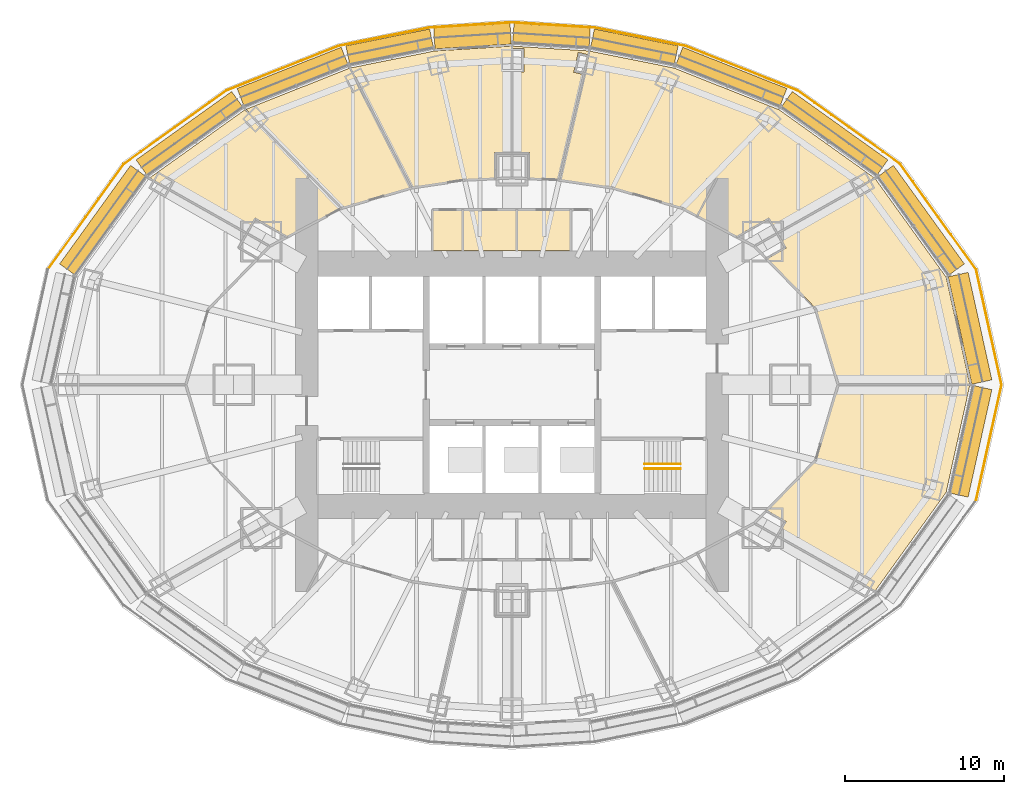
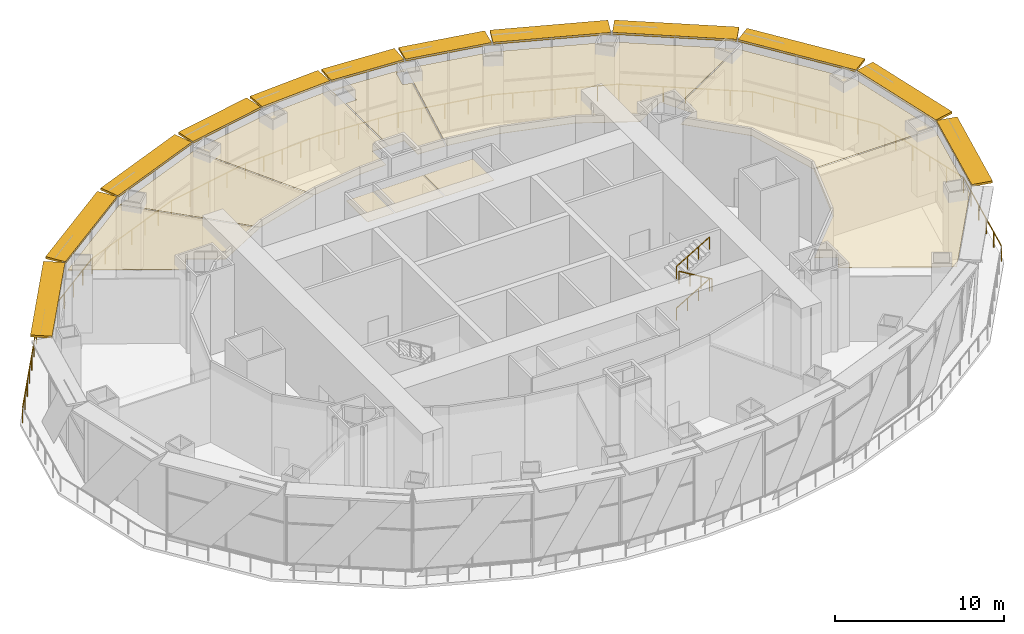
# One storey, part 20 of 21: 15 railings, 12 shading devices, 10 coverings.
"""IFC4 building model written with IfcOpenShell, lengths in metres."""

from ifc_helpers import new_model, si_unit, direction, frame, origin, origin_2d, place, context, subcontext, project, spatial, polyline, rectangle, circle, outline, extrude, material, layer, layer_set, type_object, element, save


model = new_model("IFC4")

# Units and contexts
model_context = context("Model", 3, precision=1e-05, world=origin(), true_north=direction((0.0, 1.0)))
body_context = subcontext(model_context, "Body", "Model", "MODEL_VIEW")
ifc_project = project(units=[si_unit("LENGTHUNIT", "METRE"), si_unit("AREAUNIT", "SQUARE_METRE"), si_unit("VOLUMEUNIT", "CUBIC_METRE"), si_unit("PLANEANGLEUNIT", "RADIAN"), si_unit("MASSUNIT", "GRAM", prefix="KILO")], contexts=[model_context])

# Site, building, storey
site_placement = place(None, origin())
site = spatial("IfcSite", under=ifc_project, at=site_placement, CompositionType="ELEMENT")
building_placement = place(site_placement, origin())
building = spatial("IfcBuilding", under=site, at=building_placement, Name="Lantaw Convention Tower", CompositionType="ELEMENT")
storey_placement = place(building_placement, frame((0.0, 0.0, 111.39990234375)))
storey = spatial("IfcBuildingStorey", under=building, at=storey_placement, Name="L26", CompositionType="ELEMENT", Elevation=111.39990234375)

# Railings
ifc_material_1 = material(Name="Stainless steel", Category="steel")
railing_type_1 = type_object("IfcRailingType", Name="Stair handrail", PredefinedType="HANDRAIL", material=ifc_material_1)
railing_1_placement = place(storey_placement, frame((8.340087890625, -4.97998046875, 1.666748046875)))
element("IfcRailing", 1, at=railing_1_placement, inside=storey, type_object=railing_type_1, Name="Stair handrail S2", PredefinedType="HANDRAIL", context=body_context, shape_type="SweptSolid", body=[
    extrude(circle(Radius=0.02392578125, at=origin_2d()), frame((0.0, 0.0, 0.8759765625), z_axis=(0.859305625298, 0.0, 0.511462454469), x_axis=(0.0, 1.0, 0.0)), (0.0, 0.0, 1.0), 2.606689453125),
    extrude(circle(Radius=0.02099609375, at=origin_2d()), origin(), (0.0, 0.0, 1.0), 0.851806640625),
    extrude(circle(Radius=0.02099609375, at=origin_2d()), frame((0.74658203125, 0.0, 0.4443359375)), (0.0, 0.0, 1.0), 0.851806640625),
    extrude(circle(Radius=0.02099609375, at=origin_2d()), frame((1.493408203125, 0.0, 0.888916015625)), (0.0, 0.0, 1.0), 0.851806640625),
    extrude(circle(Radius=0.02099609375, at=origin_2d()), frame((2.239990234375, 0.0, 1.333251953125)), (0.0, 0.0, 1.0), 0.851806640625),
])
railing_2_placement = place(storey_placement, frame((10.580078125, -5.280029296875, 3.166748046875)))
element("IfcRailing", 2, at=railing_2_placement, inside=storey, type_object=railing_type_1, Name="Stair handrail S2", PredefinedType="HANDRAIL", context=body_context, shape_type="SweptSolid", body=[
    extrude(circle(Radius=0.02392578125, at=origin_2d()), frame((0.0, 0.0, 0.8759765625), z_axis=(-0.859305625298, 0.0, 0.511462454469), x_axis=(0.0, -1.0, 0.0)), (0.0, 0.0, 1.0), 2.606689453125),
    extrude(circle(Radius=0.02099609375, at=origin_2d()), origin(), (0.0, 0.0, 1.0), 0.851806640625),
    extrude(circle(Radius=0.02099609375, at=origin_2d()), frame((-0.74658203125, 0.0, 0.4443359375)), (0.0, 0.0, 1.0), 0.851806640625),
    extrude(circle(Radius=0.02099609375, at=origin_2d()), frame((-1.493408203125, 0.0, 0.888916015625)), (0.0, 0.0, 1.0), 0.851806640625),
    extrude(circle(Radius=0.02099609375, at=origin_2d()), frame((-2.239990234375, 0.0, 1.333251953125)), (0.0, 0.0, 1.0), 0.851806640625),
])
railing_3_placement = place(storey_placement, frame((8.340087890625, -4.97998046875, 4.666748046875)))
element("IfcRailing", 3, at=railing_3_placement, inside=storey, type_object=railing_type_1, Name="Stair handrail S2", PredefinedType="HANDRAIL", context=body_context, shape_type="SweptSolid", body=[
    extrude(circle(Radius=0.02392578125, at=origin_2d()), frame((0.0, 0.0, 0.8759765625), z_axis=(0.859305625298, 0.0, 0.511462454469), x_axis=(0.0, 1.0, 0.0)), (0.0, 0.0, 1.0), 2.606689453125),
    extrude(circle(Radius=0.02099609375, at=origin_2d()), origin(), (0.0, 0.0, 1.0), 0.851806640625),
    extrude(circle(Radius=0.02099609375, at=origin_2d()), frame((0.74658203125, 0.0, 0.4443359375)), (0.0, 0.0, 1.0), 0.851806640625),
    extrude(circle(Radius=0.02099609375, at=origin_2d()), frame((1.493408203125, 0.0, 0.888916015625)), (0.0, 0.0, 1.0), 0.851806640625),
    extrude(circle(Radius=0.02099609375, at=origin_2d()), frame((2.239990234375, 0.0, 1.333251953125)), (0.0, 0.0, 1.0), 0.851806640625),
])

# Coverings
ifc_material_2 = material(Name="Gypsum board on steel suspension grid", Category="steel")
ifc_layer = layer(ifc_material_2, 0.02001953125)
ifc_layer_set = layer_set([ifc_layer], Name="Suspended ceiling")
covering_type = type_object("IfcCoveringType", Name="Suspended ceiling", PredefinedType="CEILING", material=ifc_layer_set)
covering_1_placement = place(storey_placement, frame((0.0, 0.0, 5.25)))
element("IfcCovering", 4, at=covering_1_placement, inside=storey, type_object=covering_type, Name="Accessible WC ceiling", PredefinedType="CEILING", context=body_context, shape_type="SweptSolid", body=[
    extrude(outline(polyline([(-4.9599609375, 8.43994140625), (-3.139892578125, 8.43994140625), (-3.139892578125, 10.967041015625), (-4.9599609375, 10.967041015625), (-4.9599609375, 8.43994140625)])), origin(), (0.0, 0.0, 1.0), 0.02001953125),
])
covering_2_placement = place(storey_placement, frame((0.0, 0.0, 5.25)))
element("IfcCovering", 5, at=covering_2_placement, inside=storey, type_object=covering_type, Name="Male WC ceiling", PredefinedType="CEILING", context=body_context, shape_type="SweptSolid", body=[
    extrude(outline(polyline([(-3.06005859375, 8.43994140625), (0.260009765625, 8.43994140625), (0.260009765625, 10.967041015625), (-3.06005859375, 10.967041015625), (-3.06005859375, 8.43994140625)])), origin(), (0.0, 0.0, 1.0), 0.02001953125),
])
covering_3_placement = place(storey_placement, frame((0.0, 0.0, 5.25)))
element("IfcCovering", 6, at=covering_3_placement, inside=storey, type_object=covering_type, Name="Female WC ceiling", PredefinedType="CEILING", context=body_context, shape_type="SweptSolid", body=[
    extrude(outline(polyline([(0.340087890625, 8.43994140625), (3.659912109375, 8.43994140625), (3.659912109375, 10.967041015625), (0.340087890625, 10.967041015625), (0.340087890625, 8.43994140625)])), origin(), (0.0, 0.0, 1.0), 0.02001953125),
])
covering_4_placement = place(storey_placement, frame((0.0, 0.0, 5.25)))
element("IfcCovering", 7, at=covering_4_placement, inside=storey, type_object=covering_type, Name="Tenant services office ceiling", PredefinedType="CEILING", context=body_context, shape_type="SweptSolid", body=[
    extrude(outline(polyline([(19.11376953125, 4.777587890625), (20.52978515625, 0.0400390625), (28.77099609375, 0.0400390625), (27.286865234375, 6.763671875), (22.832275390625, 12.947265625), (16.720703125, 9.498291015625), (17.237060546875, 8.594482421875), (16.051513671875, 7.916748046875), (19.11376953125, 4.777587890625)])), origin(), (0.0, 0.0, 1.0), 0.02001953125),
])
covering_5_placement = place(storey_placement, frame((0.0, 0.0, 5.25)))
element("IfcCovering", 8, at=covering_5_placement, inside=storey, type_object=covering_type, Name="Building management office ceiling", PredefinedType="CEILING", context=body_context, shape_type="SweptSolid", body=[
    extrude(outline(polyline([(10.720947265625, 11.12353515625), (14.12744140625, 9.328369140625), (16.155517578125, 10.487060546875), (16.68115234375, 9.567626953125), (22.76953125, 13.003662109375), (16.778076171875, 17.29150390625), (10.1865234375, 19.90576171875), (4.899658203125, 20.970947265625), (3.0185546875, 12.89599609375), (6.3115234375, 12.409423828125), (10.720947265625, 11.12353515625)])), origin(), (0.0, 0.0, 1.0), 0.02001953125),
])
covering_6_placement = place(storey_placement, frame((0.0, 0.0, 5.25)))
element("IfcCovering", 9, at=covering_6_placement, inside=storey, type_object=covering_type, Name="First-aid room ceiling", PredefinedType="CEILING", context=body_context, shape_type="SweptSolid", body=[
    extrude(outline(polyline([(1.090087890625, 14.590087890625), (1.090087890625, 12.98974609375), (2.938232421875, 12.904296875), (4.475341796875, 19.50244140625), (3.87744140625, 19.640380859375), (4.16552734375, 20.8876953125), (4.765869140625, 20.7490234375), (4.820068359375, 20.98095703125), (0.0400390625, 21.281982421875), (0.0400390625, 21.139892578125), (0.739990234375, 21.139892578125), (0.739990234375, 19.659912109375), (0.0400390625, 19.659912109375), (0.0400390625, 14.590087890625), (1.090087890625, 14.590087890625)])), origin(), (0.0, 0.0, 1.0), 0.02001953125),
])
covering_7_placement = place(storey_placement, frame((0.0, 0.0, 5.25)))
element("IfcCovering", 10, at=covering_7_placement, inside=storey, type_object=covering_type, Name="Fitness centre ceiling", PredefinedType="CEILING", context=body_context, shape_type="SweptSolid", body=[
    extrude(outline(polyline([(-2.973388671875, 12.90283203125), (-1.090087890625, 12.98974609375), (-1.090087890625, 14.590087890625), (-0.0400390625, 14.590087890625), (-0.0400390625, 21.281982421875), (-4.864501953125, 20.978271484375), (-10.13818359375, 19.91552734375), (-6.280517578125, 12.4140625), (-2.973388671875, 12.90283203125)])), origin(), (0.0, 0.0, 1.0), 0.02001953125),
])
covering_8_placement = place(storey_placement, frame((0.0, 0.0, 5.25)))
element("IfcCovering", 11, at=covering_8_placement, inside=storey, type_object=covering_type, Name="Quiet room ceiling", PredefinedType="CEILING", context=body_context, shape_type="SweptSolid", body=[
    extrude(outline(polyline([(-6.36083984375, 12.39501953125), (-10.217041015625, 19.893798828125), (-16.726806640625, 17.311767578125), (-10.694091796875, 11.131591796875), (-6.36083984375, 12.39501953125)])), origin(), (0.0, 0.0, 1.0), 0.02001953125),
])
covering_9_placement = place(storey_placement, frame((0.0, 0.0, 5.25)))
element("IfcCovering", 12, at=covering_9_placement, inside=storey, type_object=covering_type, Name="Shower and changing room ceiling", PredefinedType="CEILING", context=body_context, shape_type="SweptSolid", body=[
    extrude(outline(polyline([(-14.12744140625, 9.328369140625), (-10.77197265625, 11.0966796875), (-16.802001953125, 17.274169921875), (-22.76953125, 13.003662109375), (-16.68115234375, 9.567626953125), (-16.155517578125, 10.487060546875), (-14.12744140625, 9.328369140625)])), origin(), (0.0, 0.0, 1.0), 0.02001953125),
])
covering_10_placement = place(storey_placement, frame((0.0, 0.0, 5.25)))
element("IfcCovering", 13, at=covering_10_placement, inside=storey, type_object=covering_type, Name="Business centre office ceiling", PredefinedType="CEILING", context=body_context, shape_type="SweptSolid", body=[
    extrude(outline(polyline([(19.11376953125, -4.777587890625), (16.051513671875, -7.916748046875), (17.237060546875, -8.594482421875), (16.720703125, -9.498291015625), (22.832275390625, -12.947265625), (27.286865234375, -6.763671875), (28.77099609375, -0.0400390625), (20.52978515625, -0.0400390625), (19.11376953125, -4.777587890625)])), origin(), (0.0, 0.0, 1.0), 0.02001953125),
])

# Railings
ifc_material_3 = material(Name="Stainless steel posts and laminated glass, pale silver finish", Category="steel")
railing_type_2 = type_object("IfcRailingType", Name="Terrace guard railing 1100", PredefinedType="GUARDRAIL", material=ifc_material_3)
railing_4_placement = place(storey_placement, frame((30.76953125, 0.0, 0.0)))
element("IfcRailing", 14, at=railing_4_placement, inside=storey, type_object=railing_type_2, Name="Terrace guard", PredefinedType="GUARDRAIL", context=body_context, shape_type="SweptSolid", body=[
    extrude(circle(Radius=0.02392578125, at=origin_2d()), frame((0.0, 0.0, 1.076171875), z_axis=(-0.215247863414, 0.976559448931, 0.0), x_axis=(-0.976559448931, -0.215247863414, 0.0)), (0.0, 0.0, 1.0), 7.406494140625),
    extrude(circle(Radius=0.02099609375, at=origin_2d()), origin(), (0.0, 0.0, 1.0), 1.052001953125),
    extrude(circle(Radius=0.02099609375, at=origin_2d()), frame((-0.31884765625, 1.446533203125, 0.0)), (0.0, 0.0, 1.0), 1.052001953125),
    extrude(circle(Radius=0.02099609375, at=origin_2d()), frame((-0.6376953125, 2.89306640625, 0.0)), (0.0, 0.0, 1.0), 1.052001953125),
    extrude(circle(Radius=0.02099609375, at=origin_2d()), frame((-0.95654296875, 4.33984375, 0.0)), (0.0, 0.0, 1.0), 1.052001953125),
    extrude(circle(Radius=0.02099609375, at=origin_2d()), frame((-1.275390625, 5.786376953125, 0.0)), (0.0, 0.0, 1.0), 1.052001953125),
    extrude(circle(Radius=0.02099609375, at=origin_2d()), frame((-1.59423828125, 7.23291015625, 0.0)), (0.0, 0.0, 1.0), 1.052001953125),
])
railing_5_placement = place(storey_placement, frame((29.17529296875, 7.23291015625, 0.0)))
element("IfcRailing", 15, at=railing_5_placement, inside=storey, type_object=railing_type_2, Name="Terrace guard", PredefinedType="GUARDRAIL", context=body_context, shape_type="SweptSolid", body=[
    extrude(circle(Radius=0.02392578125, at=origin_2d()), frame((0.0, 0.0, 1.076171875), z_axis=(-0.58395397625, 0.811786766104, 0.0), x_axis=(-0.811786766104, -0.58395397625, 0.0)), (0.0, 0.0, 1.0), 8.179443359375),
    extrude(circle(Radius=0.02099609375, at=origin_2d()), origin(), (0.0, 0.0, 1.0), 1.052001953125),
    extrude(circle(Radius=0.02099609375, at=origin_2d()), frame((-0.796142578125, 1.106689453125, 0.0)), (0.0, 0.0, 1.0), 1.052001953125),
    extrude(circle(Radius=0.02099609375, at=origin_2d()), frame((-1.592041015625, 2.21337890625, 0.0)), (0.0, 0.0, 1.0), 1.052001953125),
    extrude(circle(Radius=0.02099609375, at=origin_2d()), frame((-2.38818359375, 3.31982421875, 0.0)), (0.0, 0.0, 1.0), 1.052001953125),
    extrude(circle(Radius=0.02099609375, at=origin_2d()), frame((-3.184326171875, 4.426513671875, 0.0)), (0.0, 0.0, 1.0), 1.052001953125),
    extrude(circle(Radius=0.02099609375, at=origin_2d()), frame((-3.980224609375, 5.533203125, 0.0)), (0.0, 0.0, 1.0), 1.052001953125),
    extrude(circle(Radius=0.02099609375, at=origin_2d()), frame((-4.7763671875, 6.639892578125, 0.0)), (0.0, 0.0, 1.0), 1.052001953125),
])
railing_6_placement = place(storey_placement, frame((24.39892578125, 13.872802734375, 0.0)))
element("IfcRailing", 16, at=railing_6_placement, inside=storey, type_object=railing_type_2, Name="Terrace guard", PredefinedType="GUARDRAIL", context=body_context, shape_type="SweptSolid", body=[
    extrude(circle(Radius=0.02392578125, at=origin_2d()), frame((0.0, 0.0, 1.076171875), z_axis=(-0.812795285718, 0.582549417229, 0.0), x_axis=(-0.582549417229, -0.812795285718, 0.0)), (0.0, 0.0, 1.0), 7.938720703125),
    extrude(circle(Radius=0.02099609375, at=origin_2d()), origin(), (0.0, 0.0, 1.0), 1.052001953125),
    extrude(circle(Radius=0.02099609375, at=origin_2d()), frame((-1.075439453125, 0.770751953125, 0.0)), (0.0, 0.0, 1.0), 1.052001953125),
    extrude(circle(Radius=0.02099609375, at=origin_2d()), frame((-2.15087890625, 1.54150390625, 0.0)), (0.0, 0.0, 1.0), 1.052001953125),
    extrude(circle(Radius=0.02099609375, at=origin_2d()), frame((-3.226318359375, 2.3125, 0.0)), (0.0, 0.0, 1.0), 1.052001953125),
    extrude(circle(Radius=0.02099609375, at=origin_2d()), frame((-4.3017578125, 3.083251953125, 0.0)), (0.0, 0.0, 1.0), 1.052001953125),
    extrude(circle(Radius=0.02099609375, at=origin_2d()), frame((-5.377197265625, 3.85400390625, 0.0)), (0.0, 0.0, 1.0), 1.052001953125),
    extrude(circle(Radius=0.02099609375, at=origin_2d()), frame((-6.45263671875, 4.624755859375, 0.0)), (0.0, 0.0, 1.0), 1.052001953125),
])
railing_7_placement = place(storey_placement, frame((17.9462890625, 18.49755859375, 0.0)))
element("IfcRailing", 17, at=railing_7_placement, inside=storey, type_object=railing_type_2, Name="Terrace guard", PredefinedType="GUARDRAIL", context=body_context, shape_type="SweptSolid", body=[
    extrude(circle(Radius=0.02392578125, at=origin_2d()), frame((0.0, 0.0, 1.076171875), z_axis=(-0.929366458811, 0.369158482548, 0.0), x_axis=(-0.369158482548, -0.929366458811, 0.0)), (0.0, 0.0, 1.0), 7.584228515625),
    extrude(circle(Radius=0.02099609375, at=origin_2d()), origin(), (0.0, 0.0, 1.0), 1.052001953125),
    extrude(circle(Radius=0.02099609375, at=origin_2d()), frame((-1.1748046875, 0.466552734375, 0.0)), (0.0, 0.0, 1.0), 1.052001953125),
    extrude(circle(Radius=0.02099609375, at=origin_2d()), frame((-2.349609375, 0.933349609375, 0.0)), (0.0, 0.0, 1.0), 1.052001953125),
    extrude(circle(Radius=0.02099609375, at=origin_2d()), frame((-3.5244140625, 1.39990234375, 0.0)), (0.0, 0.0, 1.0), 1.052001953125),
    extrude(circle(Radius=0.02099609375, at=origin_2d()), frame((-4.698974609375, 1.866455078125, 0.0)), (0.0, 0.0, 1.0), 1.052001953125),
    extrude(circle(Radius=0.02099609375, at=origin_2d()), frame((-5.873779296875, 2.333251953125, 0.0)), (0.0, 0.0, 1.0), 1.052001953125),
    extrude(circle(Radius=0.02099609375, at=origin_2d()), frame((-7.048583984375, 2.7998046875, 0.0)), (0.0, 0.0, 1.0), 1.052001953125),
])
railing_8_placement = place(storey_placement, frame((10.897705078125, 21.29736328125, 0.0)))
element("IfcRailing", 18, at=railing_8_placement, inside=storey, type_object=railing_type_2, Name="Terrace guard", PredefinedType="GUARDRAIL", context=body_context, shape_type="SweptSolid", body=[
    extrude(circle(Radius=0.02392578125, at=origin_2d()), frame((0.0, 0.0, 1.076171875), z_axis=(-0.980239698591, 0.197813379999, 0.0), x_axis=(-0.197813379999, -0.980239698591, 0.0)), (0.0, 0.0, 1.0), 5.80810546875),
    extrude(circle(Radius=0.02099609375, at=origin_2d()), origin(), (0.0, 0.0, 1.0), 1.052001953125),
    extrude(circle(Radius=0.02099609375, at=origin_2d()), frame((-1.42333984375, 0.287109375, 0.0)), (0.0, 0.0, 1.0), 1.052001953125),
    extrude(circle(Radius=0.02099609375, at=origin_2d()), frame((-2.8466796875, 0.574462890625, 0.0)), (0.0, 0.0, 1.0), 1.052001953125),
    extrude(circle(Radius=0.02099609375, at=origin_2d()), frame((-4.27001953125, 0.86181640625, 0.0)), (0.0, 0.0, 1.0), 1.052001953125),
    extrude(circle(Radius=0.02099609375, at=origin_2d()), frame((-5.693359375, 1.14892578125, 0.0)), (0.0, 0.0, 1.0), 1.052001953125),
])
railing_9_placement = place(storey_placement, frame((5.204345703125, 22.4462890625, 0.0)))
element("IfcRailing", 19, at=railing_9_placement, inside=storey, type_object=railing_type_2, Name="Terrace guard", PredefinedType="GUARDRAIL", context=body_context, shape_type="SweptSolid", body=[
    extrude(circle(Radius=0.02392578125, at=origin_2d()), frame((0.0, 0.0, 1.076171875), z_axis=(-0.998015422482, 0.062969964969, 0.0), x_axis=(-0.062969964969, -0.998015422482, 0.0)), (0.0, 0.0, 1.0), 5.214599609375),
    extrude(circle(Radius=0.02099609375, at=origin_2d()), origin(), (0.0, 0.0, 1.0), 1.052001953125),
    extrude(circle(Radius=0.02099609375, at=origin_2d()), frame((-1.301025390625, 0.08203125, 0.0)), (0.0, 0.0, 1.0), 1.052001953125),
    extrude(circle(Radius=0.02099609375, at=origin_2d()), frame((-2.60205078125, 0.1640625, 0.0)), (0.0, 0.0, 1.0), 1.052001953125),
    extrude(circle(Radius=0.02099609375, at=origin_2d()), frame((-3.9033203125, 0.246337890625, 0.0)), (0.0, 0.0, 1.0), 1.052001953125),
    extrude(circle(Radius=0.02099609375, at=origin_2d()), frame((-5.204345703125, 0.328369140625, 0.0)), (0.0, 0.0, 1.0), 1.052001953125),
])
railing_10_placement = place(storey_placement, frame((0.0, 22.774658203125, 0.0)))
element("IfcRailing", 20, at=railing_10_placement, inside=storey, type_object=railing_type_2, Name="Terrace guard", PredefinedType="GUARDRAIL", context=body_context, shape_type="SweptSolid", body=[
    extrude(circle(Radius=0.02392578125, at=origin_2d()), frame((0.0, 0.0, 1.076171875), z_axis=(-0.998015422482, -0.062969964969, 0.0), x_axis=(0.062969964969, -0.998015422482, 0.0)), (0.0, 0.0, 1.0), 5.214599609375),
    extrude(circle(Radius=0.02099609375, at=origin_2d()), origin(), (0.0, 0.0, 1.0), 1.052001953125),
    extrude(circle(Radius=0.02099609375, at=origin_2d()), frame((-1.301025390625, -0.08203125, 0.0)), (0.0, 0.0, 1.0), 1.052001953125),
    extrude(circle(Radius=0.02099609375, at=origin_2d()), frame((-2.60205078125, -0.1640625, 0.0)), (0.0, 0.0, 1.0), 1.052001953125),
    extrude(circle(Radius=0.02099609375, at=origin_2d()), frame((-3.9033203125, -0.246337890625, 0.0)), (0.0, 0.0, 1.0), 1.052001953125),
    extrude(circle(Radius=0.02099609375, at=origin_2d()), frame((-5.204345703125, -0.328369140625, 0.0)), (0.0, 0.0, 1.0), 1.052001953125),
])
railing_11_placement = place(storey_placement, frame((-5.204345703125, 22.4462890625, 0.0)))
element("IfcRailing", 21, at=railing_11_placement, inside=storey, type_object=railing_type_2, Name="Terrace guard", PredefinedType="GUARDRAIL", context=body_context, shape_type="SweptSolid", body=[
    extrude(circle(Radius=0.02392578125, at=origin_2d()), frame((0.0, 0.0, 1.076171875), z_axis=(-0.980239698591, -0.197813379999, 0.0), x_axis=(0.197813379999, -0.980239698591, 0.0)), (0.0, 0.0, 1.0), 5.80810546875),
    extrude(circle(Radius=0.02099609375, at=origin_2d()), origin(), (0.0, 0.0, 1.0), 1.052001953125),
    extrude(circle(Radius=0.02099609375, at=origin_2d()), frame((-1.42333984375, -0.287109375, 0.0)), (0.0, 0.0, 1.0), 1.052001953125),
    extrude(circle(Radius=0.02099609375, at=origin_2d()), frame((-2.8466796875, -0.574462890625, 0.0)), (0.0, 0.0, 1.0), 1.052001953125),
    extrude(circle(Radius=0.02099609375, at=origin_2d()), frame((-4.27001953125, -0.86181640625, 0.0)), (0.0, 0.0, 1.0), 1.052001953125),
    extrude(circle(Radius=0.02099609375, at=origin_2d()), frame((-5.693359375, -1.14892578125, 0.0)), (0.0, 0.0, 1.0), 1.052001953125),
])
railing_12_placement = place(storey_placement, frame((-10.897705078125, 21.29736328125, 0.0)))
element("IfcRailing", 22, at=railing_12_placement, inside=storey, type_object=railing_type_2, Name="Terrace guard", PredefinedType="GUARDRAIL", context=body_context, shape_type="SweptSolid", body=[
    extrude(circle(Radius=0.02392578125, at=origin_2d()), frame((0.0, 0.0, 1.076171875), z_axis=(-0.929366458811, -0.369158482548, 0.0), x_axis=(0.369158482548, -0.929366458811, 0.0)), (0.0, 0.0, 1.0), 7.584228515625),
    extrude(circle(Radius=0.02099609375, at=origin_2d()), origin(), (0.0, 0.0, 1.0), 1.052001953125),
    extrude(circle(Radius=0.02099609375, at=origin_2d()), frame((-1.1748046875, -0.466552734375, 0.0)), (0.0, 0.0, 1.0), 1.052001953125),
    extrude(circle(Radius=0.02099609375, at=origin_2d()), frame((-2.349609375, -0.933349609375, 0.0)), (0.0, 0.0, 1.0), 1.052001953125),
    extrude(circle(Radius=0.02099609375, at=origin_2d()), frame((-3.5244140625, -1.39990234375, 0.0)), (0.0, 0.0, 1.0), 1.052001953125),
    extrude(circle(Radius=0.02099609375, at=origin_2d()), frame((-4.698974609375, -1.866455078125, 0.0)), (0.0, 0.0, 1.0), 1.052001953125),
    extrude(circle(Radius=0.02099609375, at=origin_2d()), frame((-5.873779296875, -2.333251953125, 0.0)), (0.0, 0.0, 1.0), 1.052001953125),
    extrude(circle(Radius=0.02099609375, at=origin_2d()), frame((-7.048583984375, -2.7998046875, 0.0)), (0.0, 0.0, 1.0), 1.052001953125),
])
railing_13_placement = place(storey_placement, frame((-17.9462890625, 18.49755859375, 0.0)))
element("IfcRailing", 23, at=railing_13_placement, inside=storey, type_object=railing_type_2, Name="Terrace guard", PredefinedType="GUARDRAIL", context=body_context, shape_type="SweptSolid", body=[
    extrude(circle(Radius=0.02392578125, at=origin_2d()), frame((0.0, 0.0, 1.076171875), z_axis=(-0.812795285718, -0.582549417229, 0.0), x_axis=(0.582549417229, -0.812795285718, 0.0)), (0.0, 0.0, 1.0), 7.938720703125),
    extrude(circle(Radius=0.02099609375, at=origin_2d()), origin(), (0.0, 0.0, 1.0), 1.052001953125),
    extrude(circle(Radius=0.02099609375, at=origin_2d()), frame((-1.075439453125, -0.770751953125, 0.0)), (0.0, 0.0, 1.0), 1.052001953125),
    extrude(circle(Radius=0.02099609375, at=origin_2d()), frame((-2.15087890625, -1.54150390625, 0.0)), (0.0, 0.0, 1.0), 1.052001953125),
    extrude(circle(Radius=0.02099609375, at=origin_2d()), frame((-3.226318359375, -2.3125, 0.0)), (0.0, 0.0, 1.0), 1.052001953125),
    extrude(circle(Radius=0.02099609375, at=origin_2d()), frame((-4.3017578125, -3.083251953125, 0.0)), (0.0, 0.0, 1.0), 1.052001953125),
    extrude(circle(Radius=0.02099609375, at=origin_2d()), frame((-5.377197265625, -3.85400390625, 0.0)), (0.0, 0.0, 1.0), 1.052001953125),
    extrude(circle(Radius=0.02099609375, at=origin_2d()), frame((-6.45263671875, -4.624755859375, 0.0)), (0.0, 0.0, 1.0), 1.052001953125),
])
railing_14_placement = place(storey_placement, frame((-24.39892578125, 13.872802734375, 0.0)))
element("IfcRailing", 24, at=railing_14_placement, inside=storey, type_object=railing_type_2, Name="Terrace guard", PredefinedType="GUARDRAIL", context=body_context, shape_type="SweptSolid", body=[
    extrude(circle(Radius=0.02392578125, at=origin_2d()), frame((0.0, 0.0, 1.076171875), z_axis=(-0.58395397625, -0.811786766104, 0.0), x_axis=(0.811786766104, -0.58395397625, 0.0)), (0.0, 0.0, 1.0), 8.179443359375),
    extrude(circle(Radius=0.02099609375, at=origin_2d()), origin(), (0.0, 0.0, 1.0), 1.052001953125),
    extrude(circle(Radius=0.02099609375, at=origin_2d()), frame((-0.796142578125, -1.106689453125, 0.0)), (0.0, 0.0, 1.0), 1.052001953125),
    extrude(circle(Radius=0.02099609375, at=origin_2d()), frame((-1.592041015625, -2.21337890625, 0.0)), (0.0, 0.0, 1.0), 1.052001953125),
    extrude(circle(Radius=0.02099609375, at=origin_2d()), frame((-2.38818359375, -3.31982421875, 0.0)), (0.0, 0.0, 1.0), 1.052001953125),
    extrude(circle(Radius=0.02099609375, at=origin_2d()), frame((-3.184326171875, -4.426513671875, 0.0)), (0.0, 0.0, 1.0), 1.052001953125),
    extrude(circle(Radius=0.02099609375, at=origin_2d()), frame((-3.980224609375, -5.533203125, 0.0)), (0.0, 0.0, 1.0), 1.052001953125),
    extrude(circle(Radius=0.02099609375, at=origin_2d()), frame((-4.7763671875, -6.639892578125, 0.0)), (0.0, 0.0, 1.0), 1.052001953125),
])
railing_15_placement = place(storey_placement, frame((29.17529296875, -7.23291015625, 0.0)))
element("IfcRailing", 25, at=railing_15_placement, inside=storey, type_object=railing_type_2, Name="Terrace guard", PredefinedType="GUARDRAIL", context=body_context, shape_type="SweptSolid", body=[
    extrude(circle(Radius=0.02392578125, at=origin_2d()), frame((0.0, 0.0, 1.076171875), z_axis=(0.215247863414, 0.976559448931, 0.0), x_axis=(-0.976559448931, 0.215247863414, 0.0)), (0.0, 0.0, 1.0), 7.406494140625),
    extrude(circle(Radius=0.02099609375, at=origin_2d()), origin(), (0.0, 0.0, 1.0), 1.052001953125),
    extrude(circle(Radius=0.02099609375, at=origin_2d()), frame((0.31884765625, 1.446533203125, 0.0)), (0.0, 0.0, 1.0), 1.052001953125),
    extrude(circle(Radius=0.02099609375, at=origin_2d()), frame((0.6376953125, 2.89306640625, 0.0)), (0.0, 0.0, 1.0), 1.052001953125),
    extrude(circle(Radius=0.02099609375, at=origin_2d()), frame((0.95654296875, 4.33984375, 0.0)), (0.0, 0.0, 1.0), 1.052001953125),
    extrude(circle(Radius=0.02099609375, at=origin_2d()), frame((1.275390625, 5.786376953125, 0.0)), (0.0, 0.0, 1.0), 1.052001953125),
    extrude(circle(Radius=0.02099609375, at=origin_2d()), frame((1.59423828125, 7.23291015625, 0.0)), (0.0, 0.0, 1.0), 1.052001953125),
])

# Shading devices
shading_device_1_placement = place(storey_placement, frame((28.7880859375, 3.546875, 5.705078125), z_axis=(0.0, 0.0, 1.0), x_axis=(-0.215546166174, 0.9764936509, 0.0)))
element("IfcShadingDevice", 26, at=shading_device_1_placement, inside=storey, Name="SUNSHADE blade", ObjectType="SUNSHADE", PredefinedType="USERDEFINED", context=body_context, shape_type="SweptSolid", body=[
    extrude(rectangle(XDim=6.918212890625, YDim=1.284912109375, at=origin_2d()), origin(), (0.0, 0.0, 1.0), 0.14990234375),
])
shading_device_2_placement = place(storey_placement, frame((25.680419921875, 10.315185546875, 5.705078125), z_axis=(0.0, 0.0, 1.0), x_axis=(-0.584512597221, 0.811384633629, 0.0)))
element("IfcShadingDevice", 27, at=shading_device_2_placement, inside=storey, Name="SUNSHADE blade", ObjectType="SUNSHADE", PredefinedType="USERDEFINED", context=body_context, shape_type="SweptSolid", body=[
    extrude(rectangle(XDim=7.6298828125, YDim=1.284912109375, at=origin_2d()), origin(), (0.0, 0.0, 1.0), 0.14990234375),
])
shading_device_3_placement = place(storey_placement, frame((20.249755859375, 15.7568359375, 5.705078125), z_axis=(0.0, 0.0, 1.0), x_axis=(-0.813208325995, 0.581972695693, 0.0)))
element("IfcShadingDevice", 28, at=shading_device_3_placement, inside=storey, Name="SUNSHADE blade", ObjectType="SUNSHADE", PredefinedType="USERDEFINED", context=body_context, shape_type="SweptSolid", body=[
    extrude(rectangle(XDim=7.385498046875, YDim=1.284912109375, at=origin_2d()), origin(), (0.0, 0.0, 1.0), 0.14990234375),
])
shading_device_4_placement = place(storey_placement, frame((13.7705078125, 19.3154296875, 5.705078125), z_axis=(0.0, 0.0, 1.0), x_axis=(-0.929547687544, 0.368701907483, 0.0)))
element("IfcShadingDevice", 29, at=shading_device_4_placement, inside=storey, Name="SUNSHADE blade", ObjectType="SUNSHADE", PredefinedType="USERDEFINED", context=body_context, shape_type="SweptSolid", body=[
    extrude(rectangle(XDim=7.03662109375, YDim=1.284912109375, at=origin_2d()), origin(), (0.0, 0.0, 1.0), 0.14990234375),
])
shading_device_5_placement = place(storey_placement, frame((7.680419921875, 21.19873046875, 5.705078125), z_axis=(0.0, 0.0, 1.0), x_axis=(-0.980301514912, 0.197506809659, 0.0)))
element("IfcShadingDevice", 30, at=shading_device_5_placement, inside=storey, Name="SUNSHADE blade", ObjectType="SUNSHADE", PredefinedType="USERDEFINED", context=body_context, shape_type="SweptSolid", body=[
    extrude(rectangle(XDim=5.363037109375, YDim=1.284912109375, at=origin_2d()), origin(), (0.0, 0.0, 1.0), 0.14990234375),
])
for number, where, z_axis, x_axis, name in (
    (31, (2.481201171875, 21.90234375, 5.705078125), (0.0, 0.0, 1.0), (-0.998022035978, 0.062865059466, 0.0), "SUNSHADE blade"),
    (32, (-2.481201171875, 21.90234375, 5.705078125), (0.0, 0.0, 1.0), (-0.998022035978, -0.062865059466, 0.0), "SUNSHADE blade"),
):
    element("IfcShadingDevice", number, at=place(storey_placement, frame(where, z_axis=z_axis, x_axis=x_axis)), inside=storey, Name=name, ObjectType="SUNSHADE", PredefinedType="USERDEFINED", context=body_context, shape_type="SweptSolid", body=[
        extrude(rectangle(XDim=4.80224609375, YDim=1.284912109375, at=origin_2d()), origin(), (0.0, 0.0, 1.0), 0.14990234375),
    ])
shading_device_6_placement = place(storey_placement, frame((-7.680419921875, 21.19873046875, 5.705078125), z_axis=(0.0, 0.0, 1.0), x_axis=(-0.980301514912, -0.197506809659, 0.0)))
element("IfcShadingDevice", 33, at=shading_device_6_placement, inside=storey, Name="SUNSHADE blade", ObjectType="SUNSHADE", PredefinedType="USERDEFINED", context=body_context, shape_type="SweptSolid", body=[
    extrude(rectangle(XDim=5.363037109375, YDim=1.284912109375, at=origin_2d()), origin(), (0.0, 0.0, 1.0), 0.14990234375),
])
shading_device_7_placement = place(storey_placement, frame((-13.7705078125, 19.3154296875, 5.705078125), z_axis=(0.0, 0.0, 1.0), x_axis=(-0.929547687544, -0.368701907483, 0.0)))
element("IfcShadingDevice", 34, at=shading_device_7_placement, inside=storey, Name="SUNSHADE blade", ObjectType="SUNSHADE", PredefinedType="USERDEFINED", context=body_context, shape_type="SweptSolid", body=[
    extrude(rectangle(XDim=7.03662109375, YDim=1.284912109375, at=origin_2d()), origin(), (0.0, 0.0, 1.0), 0.14990234375),
])
shading_device_8_placement = place(storey_placement, frame((-20.249755859375, 15.7568359375, 5.705078125), z_axis=(0.0, 0.0, 1.0), x_axis=(-0.813208325995, -0.581972695693, 0.0)))
element("IfcShadingDevice", 35, at=shading_device_8_placement, inside=storey, Name="SUNSHADE blade", ObjectType="SUNSHADE", PredefinedType="USERDEFINED", context=body_context, shape_type="SweptSolid", body=[
    extrude(rectangle(XDim=7.385498046875, YDim=1.284912109375, at=origin_2d()), origin(), (0.0, 0.0, 1.0), 0.14990234375),
])
shading_device_9_placement = place(storey_placement, frame((-25.680419921875, 10.315185546875, 5.705078125), z_axis=(0.0, 0.0, 1.0), x_axis=(-0.584512597221, -0.811384633629, 0.0)))
element("IfcShadingDevice", 36, at=shading_device_9_placement, inside=storey, Name="SUNSHADE blade", ObjectType="SUNSHADE", PredefinedType="USERDEFINED", context=body_context, shape_type="SweptSolid", body=[
    extrude(rectangle(XDim=7.6298828125, YDim=1.284912109375, at=origin_2d()), origin(), (0.0, 0.0, 1.0), 0.14990234375),
])
shading_device_10_placement = place(storey_placement, frame((28.7880859375, -3.546875, 5.705078125), z_axis=(0.0, 0.0, 1.0), x_axis=(0.215546166174, 0.9764936509, 0.0)))
element("IfcShadingDevice", 37, at=shading_device_10_placement, inside=storey, Name="SUNSHADE blade", ObjectType="SUNSHADE", PredefinedType="USERDEFINED", context=body_context, shape_type="SweptSolid", body=[
    extrude(rectangle(XDim=6.918212890625, YDim=1.284912109375, at=origin_2d()), origin(), (0.0, 0.0, 1.0), 0.14990234375),
])

save(model, "model.ifc")
